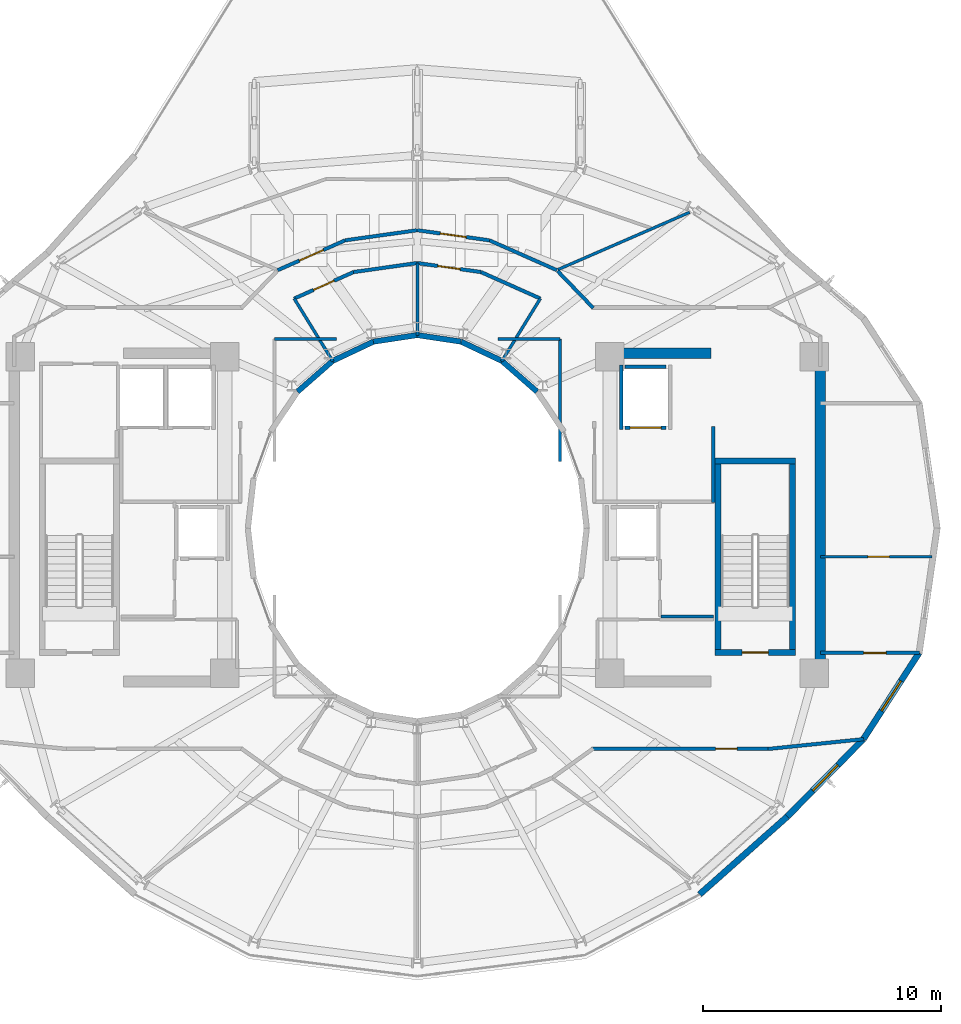
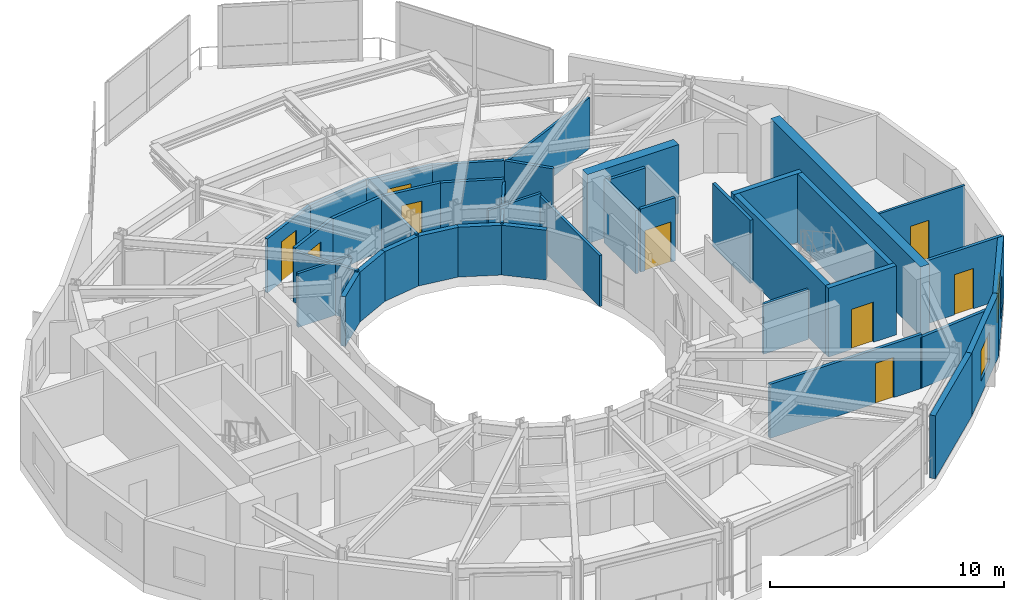
# One storey, part 20 of 25: 40 walls, 9 doors, 2 windows, 11 openings.
"""IFC4 building model written with IfcOpenShell, lengths in metres."""

import ifcopenshell
import ifcopenshell.guid

model = None  # the IFC model being written
_history = None  # IfcOwnerHistory: only IFC2X3 demands one
_inside = {}  # id of a spatial element -> (the spatial element, [elements in it])
_under = {}  # id of a project, library or spatial element -> (it, [spatial elements below it])
_declared = {}  # id of a project -> (the project, [libraries it declares])
_typed = {}  # id of a type object -> (the type object, [elements of that type])
_made_of = {}  # id of a material, layer set ... -> (it, [elements and type objects made of it])


def new_model(schema):
    """Start an empty IFC model of exactly this schema.

    Asked for "IFC4X3", IfcOpenShell would pick the latest addendum, in which some entities
    have other attributes; the version numbers below select the first issue.
    IFC2X3 requires an IfcOwnerHistory on every rooted entity: one is made here for all.
    """
    global model, _history
    if schema == "IFC4X3":
        model = ifcopenshell.file(schema_version=(4, 3, 0, 0))
    else:
        model = ifcopenshell.file(schema=schema)
    _inside.clear()
    _under.clear()
    _declared.clear()
    _typed.clear()
    _made_of.clear()
    _history = None
    if model.schema == "IFC2X3":
        org = make("IfcOrganization", Name="unknown")
        user = make(
            "IfcPersonAndOrganization",
            ThePerson=make("IfcPerson", FamilyName="unknown"),
            TheOrganization=org,
        )
        app = make(
            "IfcApplication",
            ApplicationDeveloper=org,
            Version="unknown",
            ApplicationFullName="unknown",
            ApplicationIdentifier="unknown",
        )
        _history = make(
            "IfcOwnerHistory",
            OwningUser=user,
            OwningApplication=app,
            ChangeAction="ADDED",
            CreationDate=0,
        )
    return model


def make(cls, **values):
    """One entity of the class cls with the attributes given. An attribute that is None is left unset."""
    return model.create_entity(
        cls, **{name: value for name, value in values.items() if value is not None}
    )


def rooted(cls, **values):
    """An entity with a GlobalId (a new one), such as an element, a storey or a relation."""
    return make(cls, GlobalId=ifcopenshell.guid.new(), OwnerHistory=_history, **values)


def si_unit(unit_type, name, prefix=None):
    """IfcSIUnit, for example si_unit("LENGTHUNIT", "METRE", prefix="MILLI")."""
    return make("IfcSIUnit", UnitType=unit_type, Prefix=prefix, Name=name)


def assignment(units):
    """IfcUnitAssignment: the units of a project."""
    return None if units is None else make("IfcUnitAssignment", Units=units)


def point(xyz):
    """IfcCartesianPoint."""
    return None if xyz is None else make("IfcCartesianPoint", Coordinates=xyz)


def direction(xyz):
    """IfcDirection."""
    return None if xyz is None else make("IfcDirection", DirectionRatios=xyz)


def frame(location, z_axis=None, x_axis=None):
    """IfcAxis2Placement3D, a coordinate frame: its origin and axes. An axis left out is left unset."""
    return make(
        "IfcAxis2Placement3D",
        Location=point(location),
        Axis=direction(z_axis),
        RefDirection=direction(x_axis),
    )


def frame_2d(location, x_axis=None):
    """IfcAxis2Placement2D, a coordinate frame in the plane: its origin and x axis."""
    return make(
        "IfcAxis2Placement2D", Location=point(location), RefDirection=direction(x_axis)
    )


def origin():
    """The frame at (0, 0, 0) with its axes left unset."""
    return frame((0.0, 0.0, 0.0))


def place(relative_to, where):
    """IfcLocalPlacement: puts the frame where relative to a parent placement (None: the world)."""
    return make(
        "IfcLocalPlacement", PlacementRelTo=relative_to, RelativePlacement=where
    )


def context(
    kind, dimensions, precision=None, world=None, true_north=None, identifier=None
):
    """IfcGeometricRepresentationContext, for example the 3D "Model" context."""
    return make(
        "IfcGeometricRepresentationContext",
        ContextIdentifier=identifier,
        ContextType=kind,
        CoordinateSpaceDimension=dimensions,
        Precision=precision,
        WorldCoordinateSystem=world,
        TrueNorth=true_north,
    )


def subcontext(parent, identifier, kind, view, scale=None):
    """IfcGeometricRepresentationSubContext, for example "Body" below "Model"."""
    return make(
        "IfcGeometricRepresentationSubContext",
        ContextIdentifier=identifier,
        ContextType=kind,
        ParentContext=parent,
        TargetScale=scale,
        TargetView=view,
    )


def project(units=None, contexts=None):
    """IfcProject with its units and contexts."""
    return rooted(
        "IfcProject",
        Name="project",
        RepresentationContexts=contexts,
        UnitsInContext=assignment(units),
    )


def spatial(cls, under=None, at=None, **own):
    """A site, building, storey or space (cls), placed at a placement, below another one or the project."""
    s = rooted(cls, ObjectPlacement=at, **own)
    if under is not None:
        _under.setdefault(under.id(), (under, []))[1].append(s)
    return s


def profile(cls, at=None, kind="AREA", **sizes):
    """A parametric profile (cls). Its sizes go by their IFC names, for example OverallWidth=200.0."""
    return make(cls, ProfileType=kind, Position=at, **sizes)


def rectangle(**sizes):
    """IfcRectangleProfileDef."""
    return profile("IfcRectangleProfileDef", **sizes)


def extrude(swept, where, along, depth):
    """IfcExtrudedAreaSolid: the profile swept, set in the frame where, extruded along a direction by depth."""
    return make(
        "IfcExtrudedAreaSolid",
        SweptArea=swept,
        Position=where,
        ExtrudedDirection=direction(along),
        Depth=depth,
    )


def shape(context_of_items, identifier, shape_type, items):
    """IfcShapeRepresentation: the items that make up one representation, for example the "Body"."""
    return make(
        "IfcShapeRepresentation",
        ContextOfItems=context_of_items,
        RepresentationIdentifier=identifier,
        RepresentationType=shape_type,
        Items=items,
    )


def material(Name=None, Category=None):
    """IfcMaterial."""
    return make("IfcMaterial", Name=Name, Category=Category)


def layer(
    of_material, thickness, ventilated=None, Name=None, Category=None, Priority=None
):
    """IfcMaterialLayer: one layer of a wall or slab, of a material (None: an air gap)."""
    return make(
        "IfcMaterialLayer",
        Material=of_material,
        LayerThickness=thickness,
        IsVentilated=ventilated,
        Name=Name,
        Category=Category,
        Priority=Priority,
    )


def layer_set(layers, Name=None):
    """IfcMaterialLayerSet."""
    return make("IfcMaterialLayerSet", MaterialLayers=layers, LayerSetName=Name)


def made_of(thing, what):
    """Note that an element or type object is made of a material, layer set ...; save() writes the relation."""
    if what is not None:
        _made_of.setdefault(what.id(), (what, []))[1].append(thing)
    return thing


def type_object(cls, material=None, **own):
    """A type object (cls), such as IfcWallType, which elements share."""
    return made_of(rooted(cls, **own), material)


def element(
    cls,
    number,
    at=None,
    inside=None,
    cuts=None,
    type_object=None,
    material=None,
    context=None,
    identifier="Body",
    shape_type=None,
    held_by="IfcProductDefinitionShape",
    body=None,
    shapes=None,
    **own,
):
    """One element of the class cls, such as IfcWall. Its Tag is "e" and its number.

    at: its placement. inside: the storey or other place that contains it. cuts: it is an
    opening in that element (IfcRelVoidsElement). A single representation is given by context,
    identifier, shape_type and body (its items); several are given by shapes. held_by: the class
    of the entity that holds the representations. save() writes the other relations.
    """
    e = rooted(cls, Tag="e%d" % number, ObjectPlacement=at, **own)
    if body is not None:
        shapes = [shape(context, identifier, shape_type, body)]
    if shapes is not None:
        e.Representation = make(held_by, Representations=shapes)
    if inside is not None:
        _inside.setdefault(inside.id(), (inside, []))[1].append(e)
    if cuts is not None:
        rooted(
            "IfcRelVoidsElement", RelatingBuildingElement=cuts, RelatedOpeningElement=e
        )
    if type_object is not None:
        _typed.setdefault(type_object.id(), (type_object, []))[1].append(e)
    return made_of(e, material)


def fill(opening, filler):
    """IfcRelFillsElement: the door or window that sits in an opening."""
    return rooted(
        "IfcRelFillsElement",
        RelatingOpeningElement=opening,
        RelatedBuildingElement=filler,
    )


def aggregate(whole, parts):
    """IfcRelAggregates: a whole, such as a stair, and the parts it consists of."""
    return rooted("IfcRelAggregates", RelatingObject=whole, RelatedObjects=parts)


def save(model, path):
    """Write the relations noted so far, then the file.

    IfcRelAggregates (storeys below a building ...), IfcRelContainedInSpatialStructure (elements
    in a storey), IfcRelDefinesByType, IfcRelAssociatesMaterial and IfcRelDeclares: one each for
    every whole, place, type object, material and project.
    """
    for whole, parts in _under.values():
        aggregate(whole, parts)
    for where, things in _inside.values():
        rooted(
            "IfcRelContainedInSpatialStructure",
            RelatedElements=things,
            RelatingStructure=where,
        )
    for kind, things in _typed.values():
        rooted("IfcRelDefinesByType", RelatedObjects=things, RelatingType=kind)
    for what, things in _made_of.values():
        rooted("IfcRelAssociatesMaterial", RelatedObjects=things, RelatingMaterial=what)
    for by, libraries in _declared.values():
        rooted("IfcRelDeclares", RelatingContext=by, RelatedDefinitions=libraries)
    model.write(path)


model = new_model("IFC4")

# Units and contexts
model_context = context("Model", 3, precision=1e-05, world=origin(), true_north=direction((0.0, 1.0)))
body_context = subcontext(model_context, "Body", "Model", "MODEL_VIEW")
ifc_project = project(units=[si_unit("LENGTHUNIT", "METRE"), si_unit("AREAUNIT", "SQUARE_METRE"), si_unit("VOLUMEUNIT", "CUBIC_METRE"), si_unit("PLANEANGLEUNIT", "RADIAN"), si_unit("MASSUNIT", "GRAM", prefix="KILO")], contexts=[model_context])

# Site, building, storey
site_placement = place(None, origin())
site = spatial("IfcSite", under=ifc_project, at=site_placement, CompositionType="ELEMENT")
building_placement = place(site_placement, origin())
building = spatial("IfcBuilding", under=site, at=building_placement, Name="Solvane Sanctuary Tower", CompositionType="ELEMENT")
storey_placement = place(building_placement, frame((0.0, 0.0, 238.800048828125)))
storey = spatial("IfcBuildingStorey", under=building, at=storey_placement, Name="L73", CompositionType="ELEMENT", Elevation=238.800048828125)

# Walls
ifc_material_1 = material(Name="Concrete C50/60", Category="concrete")
ifc_layer_1 = layer(ifc_material_1, 0.449951171875, Name="Concrete C50/60")
ifc_layer_set_1 = layer_set([ifc_layer_1], Name="Concrete C50/60")
wall_type_1 = type_object("IfcWallType", Name="Wall W-CORE-450", PredefinedType="SHEAR", material=ifc_layer_set_1)
wall_1_placement = place(storey_placement, frame((48.949951171875, 17.050048828125, 0.0), z_axis=(0.0, 0.0, 1.0), x_axis=(0.0, 1.0, 0.0)))
element("IfcWall", 1, at=wall_1_placement, inside=storey, type_object=wall_type_1, Name="L73 Core Shear Wall EC-E", PredefinedType="SHEAR", context=body_context, shape_type="SweptSolid", body=[
    extrude(rectangle(XDim=12.800048828125, YDim=0.449951171875, at=frame_2d((6.39990234375, 0.0))), origin(), (0.0, 0.0, 1.0), 3.599853515625),
])
wall_2_placement = place(storey_placement, frame((39.85009765625, 30.35009765625, 0.0), z_axis=(0.0, 0.0, 1.0), x_axis=(1.0, 0.0, 0.0)))
element("IfcWall", 2, at=wall_2_placement, inside=storey, type_object=wall_type_1, Name="L73 Core Shear Wall EC-N", PredefinedType="SHEAR", context=body_context, shape_type="SweptSolid", body=[
    extrude(rectangle(XDim=4.5, YDim=0.449951171875, at=frame_2d((2.25, 0.0))), origin(), (0.0, 0.0, 1.0), 3.599853515625),
])
ifc_material_2 = material(Name="Acoustic Gypsum Partition Board")
ifc_layer_2 = layer(ifc_material_2, 0.14990234375, Name="Acoustic Gypsum Partition Board")
ifc_layer_set_2 = layer_set([ifc_layer_2], Name="Acoustic Gypsum Partition Board")
wall_type_2 = type_object("IfcWallType", Name="Wall W-CORR-150", PredefinedType="PARTITIONING", material=ifc_layer_set_2)
wall_3_placement = place(storey_placement, frame((44.449951171875, 24.080078125, 0.0), z_axis=(0.0, 0.0, 1.0), x_axis=(0.0, 1.0, 0.0)))
element("IfcWall", 3, at=wall_3_placement, inside=storey, type_object=wall_type_2, Name="L73 East Firefighting Lobby East Wall", PredefinedType="PARTITIONING", context=body_context, shape_type="SweptSolid", body=[
    extrude(rectangle(XDim=3.199951171875, YDim=0.14990234375, at=frame_2d((1.60009765625, 0.0))), origin(), (0.0, 0.0, 1.0), 3.294921875),
])
wall_4_placement = place(storey_placement, frame((37.181396484375, 32.65234375, 0.0), z_axis=(0.0, 0.0, 1.0), x_axis=(-0.913120130558, 0.407690602257, 0.0)))
element("IfcWall", 4, at=wall_4_placement, inside=storey, type_object=wall_type_2, Name="L73 Light-Well Alcove Corridor Wall 1", PredefinedType="PARTITIONING", context=body_context, shape_type="SweptSolid", body=[
    extrude(rectangle(XDim=2.74267578125, YDim=0.14990234375, at=frame_2d((1.371337890625, 0.0))), origin(), (0.0, 0.0, 1.0), 2.822998046875),
])

# Wall, opening, door
wall_5_placement = place(storey_placement, frame((34.680419921875, 33.76953125, 0.0), z_axis=(0.0, 0.0, 1.0), x_axis=(-0.990132151456, 0.140136799779, 0.0)))
wall_5 = element("IfcWall", 5, at=wall_5_placement, inside=storey, type_object=wall_type_2, Name="L73 Light-Well Alcove Corridor Wall 1", PredefinedType="PARTITIONING", context=body_context, shape_type="SweptSolid", body=[
    extrude(rectangle(XDim=2.71435546875, YDim=0.14990234375, at=frame_2d((1.357177734375, 0.0))), origin(), (0.0, 0.0, 1.0), 2.822998046875),
])
opening_1_placement = place(wall_5_placement, frame((0.882080078125, 0.0, 0.0)))
opening_1 = element("IfcOpeningElement", 6, at=opening_1_placement, cuts=wall_5, Name="Opening D-L73-10", PredefinedType="OPENING", context=body_context, shape_type="SweptSolid", body=[
    extrude(rectangle(XDim=0.949951171875, YDim=2.10009765625, at=frame_2d((0.47509765625, 1.050048828125))), frame((0.0, 0.0849609375, 0.0), z_axis=(0.0, -1.0, 0.0), x_axis=(1.0, 0.0, 0.0)), (0.0, 0.0, 1.0), 0.169921875),
])
ifc_material_3 = material(Name="Engineered Tropical Hardwood", Category="wood")
door_type_1 = type_object("IfcDoorType", Name="Door D-ROOM-950", OperationType="NOTDEFINED", PredefinedType="DOOR", material=ifc_material_3)
door_1_placement = place(opening_1_placement, origin())
door_1 = element("IfcDoor", 7, at=door_1_placement, inside=storey, type_object=door_type_1, Name="L73 Light-Well Alcove Door 1", OperationType="SINGLE_SWING_RIGHT", OverallHeight=2.10009765625, OverallWidth=0.949951171875, PredefinedType="DOOR", context=body_context, shape_type="SweptSolid", body=[
    extrude(rectangle(XDim=0.949951171875, YDim=2.10009765625, at=frame_2d((0.47509765625, 1.050048828125))), frame((0.0, 0.02490234375, 0.0), z_axis=(0.0, -1.0, 0.0), x_axis=(1.0, 0.0, 0.0)), (0.0, 0.0, 1.0), 0.050048828125),
])
fill(opening_1, door_1)

# Wall
wall_6_placement = place(storey_placement, frame((32.007080078125, 34.14990234375, 0.0), z_axis=(0.0, 0.0, 1.0), x_axis=(-0.990132151456, -0.140136799779, 0.0)))
element("IfcWall", 8, at=wall_6_placement, inside=storey, type_object=wall_type_2, Name="L73 Light-Well Alcove Corridor Wall 2", PredefinedType="PARTITIONING", context=body_context, shape_type="SweptSolid", body=[
    extrude(rectangle(XDim=2.71435546875, YDim=0.14990234375, at=frame_2d((1.357177734375, 0.0))), origin(), (0.0, 0.0, 1.0), 2.822998046875),
])

# Wall, opening, door
wall_7_placement = place(storey_placement, frame((29.322998046875, 33.7705078125, 0.0), z_axis=(0.0, 0.0, 1.0), x_axis=(-0.913120130558, -0.407690602257, 0.0)))
wall_7 = element("IfcWall", 9, at=wall_7_placement, inside=storey, type_object=wall_type_2, Name="L73 Light-Well Alcove Corridor Wall 2", PredefinedType="PARTITIONING", context=body_context, shape_type="SweptSolid", body=[
    extrude(rectangle(XDim=2.74267578125, YDim=0.14990234375, at=frame_2d((1.371337890625, 0.0))), origin(), (0.0, 0.0, 1.0), 2.822998046875),
])
opening_2_placement = place(wall_7_placement, frame((0.896240234375, 0.0, 0.0)))
opening_2 = element("IfcOpeningElement", 10, at=opening_2_placement, cuts=wall_7, Name="Opening D-L73-11", PredefinedType="OPENING", context=body_context, shape_type="SweptSolid", body=[
    extrude(rectangle(XDim=0.949951171875, YDim=2.10009765625, at=frame_2d((0.47509765625, 1.050048828125))), frame((0.0, 0.0849609375, 0.0), z_axis=(0.0, -1.0, 0.0), x_axis=(1.0, 0.0, 0.0)), (0.0, 0.0, 1.0), 0.169921875),
])
door_2_placement = place(opening_2_placement, origin())
door_2 = element("IfcDoor", 11, at=door_2_placement, inside=storey, type_object=door_type_1, Name="L73 Light-Well Alcove Door 2", OperationType="SINGLE_SWING_LEFT", OverallHeight=2.10009765625, OverallWidth=0.949951171875, PredefinedType="DOOR", context=body_context, shape_type="SweptSolid", body=[
    extrude(rectangle(XDim=0.949951171875, YDim=2.10009765625, at=frame_2d((0.47509765625, 1.050048828125))), frame((0.0, 0.02490234375, 0.0), z_axis=(0.0, -1.0, 0.0), x_axis=(1.0, 0.0, 0.0)), (0.0, 0.0, 1.0), 0.050048828125),
])
fill(opening_2, door_2)

wall_8_placement = place(storey_placement, frame((48.949951171875, 17.754638671875, 0.0), z_axis=(0.0, 0.0, 1.0), x_axis=(1.0, 0.0, 0.0)))
wall_8 = element("IfcWall", 12, at=wall_8_placement, inside=storey, type_object=wall_type_2, Name="L73 East Shoulder South Wall", PredefinedType="PARTITIONING", context=body_context, shape_type="SweptSolid", body=[
    extrude(rectangle(XDim=4.174560546875, YDim=0.14990234375, at=frame_2d((2.08740234375, 0.0))), origin(), (0.0, 0.0, 1.0), 3.294921875),
])
opening_3_placement = place(wall_8_placement, frame((1.817138671875, 0.0, 0.0)))
opening_3 = element("IfcOpeningElement", 13, at=opening_3_placement, cuts=wall_8, Name="Opening D-L73-14", PredefinedType="OPENING", context=body_context, shape_type="SweptSolid", body=[
    extrude(rectangle(XDim=0.949951171875, YDim=2.10009765625, at=frame_2d((0.47509765625, 1.050048828125))), frame((0.0, 0.0849609375, 0.0), z_axis=(0.0, -1.0, 0.0), x_axis=(1.0, 0.0, 0.0)), (0.0, 0.0, 1.0), 0.169921875),
])
door_3_placement = place(opening_3_placement, origin())
door_3 = element("IfcDoor", 14, at=door_3_placement, inside=storey, type_object=door_type_1, Name="L73 East Shoulder South Door", OperationType="SINGLE_SWING_RIGHT", OverallHeight=2.10009765625, OverallWidth=0.949951171875, PredefinedType="DOOR", context=body_context, shape_type="SweptSolid", body=[
    extrude(rectangle(XDim=0.949951171875, YDim=2.10009765625, at=frame_2d((0.47509765625, 1.050048828125))), frame((0.0, 0.02490234375, 0.0), z_axis=(0.0, -1.0, 0.0), x_axis=(1.0, 0.0, 0.0)), (0.0, 0.0, 1.0), 0.050048828125),
])
fill(opening_3, door_3)

# Wall
wall_9_placement = place(storey_placement, frame((37.9033203125, 33.811767578125, 0.0), z_axis=(0.0, 0.0, 1.0), x_axis=(0.694032962553, -0.719943224768, 0.0)))
element("IfcWall", 15, at=wall_9_placement, inside=storey, type_object=wall_type_2, Name="L73 NE Corner Throat Wall", PredefinedType="PARTITIONING", context=body_context, shape_type="SweptSolid", body=[
    extrude(rectangle(XDim=2.15771484375, YDim=0.14990234375, at=frame_2d((1.078857421875, 0.0))), origin(), (0.0, 0.0, 1.0), 2.81591796875),
])

# Wall, opening, door
wall_10_placement = place(storey_placement, frame((39.330078125, 13.719970703125, 0.0), z_axis=(0.0, 0.0, 1.0), x_axis=(1.0, 0.0, 0.0)))
wall_10 = element("IfcWall", 16, at=wall_10_placement, inside=storey, type_object=wall_type_2, Name="L73 SE Corner Corridor Wall", PredefinedType="PARTITIONING", context=body_context, shape_type="SweptSolid", body=[
    extrude(rectangle(XDim=7.52001953125, YDim=0.14990234375, at=frame_2d((3.760009765625, 0.0))), origin(), (0.0, 0.0, 1.0), 2.81591796875),
])
opening_4_placement = place(wall_10_placement, frame((5.219970703125, 0.0, 0.0)))
opening_4 = element("IfcOpeningElement", 17, at=opening_4_placement, cuts=wall_10, Name="Opening D-L73-23", PredefinedType="OPENING", context=body_context, shape_type="SweptSolid", body=[
    extrude(rectangle(XDim=0.89990234375, YDim=2.10009765625, at=frame_2d((0.449951171875, 1.050048828125))), frame((0.0, 0.0849609375, 0.0), z_axis=(0.0, -1.0, 0.0), x_axis=(1.0, 0.0, 0.0)), (0.0, 0.0, 1.0), 0.169921875),
])
door_type_2 = type_object("IfcDoorType", Name="Door D-WET-900", OperationType="NOTDEFINED", PredefinedType="DOOR", material=ifc_material_3)
door_4_placement = place(opening_4_placement, origin())
door_4 = element("IfcDoor", 18, at=door_4_placement, inside=storey, type_object=door_type_2, Name="L73 SE Corner Salon Door", OperationType="SINGLE_SWING_LEFT", OverallHeight=2.10009765625, OverallWidth=0.89990234375, PredefinedType="DOOR", context=body_context, shape_type="SweptSolid", body=[
    extrude(rectangle(XDim=0.89990234375, YDim=2.10009765625, at=frame_2d((0.449951171875, 1.050048828125))), frame((0.0, 0.02490234375, 0.0), z_axis=(0.0, -1.0, 0.0), x_axis=(1.0, 0.0, 0.0)), (0.0, 0.0, 1.0), 0.050048828125),
])
fill(opening_4, door_4)

# Walls
wall_11_placement = place(storey_placement, frame((46.750244140625, 13.71484375, 0.0), z_axis=(0.0, 0.0, 1.0), x_axis=(0.994734711466, 0.102483431859, 0.0)))
element("IfcWall", 19, at=wall_11_placement, inside=storey, type_object=wall_type_2, Name="L73 SE Corner Wing Wall", PredefinedType="PARTITIONING", context=body_context, shape_type="SweptSolid", body=[
    extrude(rectangle(XDim=4.04736328125, YDim=0.14990234375, at=frame_2d((2.023681640625, 0.0))), origin(), (0.0, 0.0, 1.0), 2.659912109375),
])
wall_12_placement = place(storey_placement, frame((37.8720703125, 33.846923828125, 0.0), z_axis=(0.0, 0.0, 1.0), x_axis=(-0.914384748819, 0.404846305563, 0.0)))
element("IfcWall", 20, at=wall_12_placement, inside=storey, type_object=wall_type_2, Name="L73 Sky Promenade Corridor Wall N1", PredefinedType="PARTITIONING", context=body_context, shape_type="SweptSolid", body=[
    extrude(rectangle(XDim=3.103759765625, YDim=0.14990234375, at=frame_2d((1.5517578125, 0.0))), origin(), (0.0, 0.0, 1.0), 2.822998046875),
])

# Wall, opening, door
wall_13_placement = place(storey_placement, frame((35.037841796875, 35.1025390625, 0.0), z_axis=(0.0, 0.0, 1.0), x_axis=(-0.990295701983, 0.138976338396, 0.0)))
wall_13 = element("IfcWall", 21, at=wall_13_placement, inside=storey, type_object=wall_type_2, Name="L73 Sky Promenade Corridor Wall N1", PredefinedType="PARTITIONING", context=body_context, shape_type="SweptSolid", body=[
    extrude(rectangle(XDim=3.075927734375, YDim=0.14990234375, at=frame_2d((1.5380859375, 0.0))), origin(), (0.0, 0.0, 1.0), 2.822998046875),
])
opening_5_placement = place(wall_13_placement, frame((0.988037109375, 0.0, 0.0)))
opening_5 = element("IfcOpeningElement", 22, at=opening_5_placement, cuts=wall_13, Name="Opening D-L73-24", PredefinedType="OPENING", context=body_context, shape_type="SweptSolid", body=[
    extrude(rectangle(XDim=1.10009765625, YDim=2.10009765625, at=frame_2d((0.550048828125, 1.050048828125))), frame((0.0, 0.0849609375, 0.0), z_axis=(0.0, -1.0, 0.0), x_axis=(1.0, 0.0, 0.0)), (0.0, 0.0, 1.0), 0.169921875),
])
ifc_material_4 = material(Name="Architectural Stainless Steel 316", Category="steel")
door_type_3 = type_object("IfcDoorType", Name="Door D-FFL", OperationType="NOTDEFINED", PredefinedType="DOOR", material=ifc_material_4)
door_5_placement = place(opening_5_placement, origin())
door_5 = element("IfcDoor", 23, at=door_5_placement, inside=storey, type_object=door_type_3, Name="L73 Sky Hall Entrance Door N1", OperationType="SINGLE_SWING_RIGHT", OverallHeight=2.10009765625, OverallWidth=1.10009765625, PredefinedType="DOOR", context=body_context, shape_type="SweptSolid", body=[
    extrude(rectangle(XDim=1.10009765625, YDim=2.10009765625, at=frame_2d((0.550048828125, 1.050048828125))), frame((0.0, 0.02490234375, 0.0), z_axis=(0.0, -1.0, 0.0), x_axis=(1.0, 0.0, 0.0)), (0.0, 0.0, 1.0), 0.050048828125),
])
fill(opening_5, door_5)

# Wall
wall_14_placement = place(storey_placement, frame((32.00830078125, 35.530029296875, 0.0), z_axis=(0.0, 0.0, 1.0), x_axis=(-0.990295701983, -0.138976338396, 0.0)))
element("IfcWall", 24, at=wall_14_placement, inside=storey, type_object=wall_type_2, Name="L73 Sky Promenade Corridor Wall N2", PredefinedType="PARTITIONING", context=body_context, shape_type="SweptSolid", body=[
    extrude(rectangle(XDim=3.075927734375, YDim=0.14990234375, at=frame_2d((1.5380859375, 0.0))), origin(), (0.0, 0.0, 1.0), 2.822998046875),
])

# Wall, opening, door
wall_15_placement = place(storey_placement, frame((28.966064453125, 35.103515625, 0.0), z_axis=(0.0, 0.0, 1.0), x_axis=(-0.914384748819, -0.404846305563, 0.0)))
wall_15 = element("IfcWall", 25, at=wall_15_placement, inside=storey, type_object=wall_type_2, Name="L73 Sky Promenade Corridor Wall N2", PredefinedType="PARTITIONING", context=body_context, shape_type="SweptSolid", body=[
    extrude(rectangle(XDim=3.103759765625, YDim=0.14990234375, at=frame_2d((1.5517578125, 0.0))), origin(), (0.0, 0.0, 1.0), 2.822998046875),
])
opening_6_placement = place(wall_15_placement, frame((1.001953125, 0.0, 0.0)))
opening_6 = element("IfcOpeningElement", 26, at=opening_6_placement, cuts=wall_15, Name="Opening D-L73-25", PredefinedType="OPENING", context=body_context, shape_type="SweptSolid", body=[
    extrude(rectangle(XDim=1.10009765625, YDim=2.10009765625, at=frame_2d((0.550048828125, 1.050048828125))), frame((0.0, 0.0849609375, 0.0), z_axis=(0.0, -1.0, 0.0), x_axis=(1.0, 0.0, 0.0)), (0.0, 0.0, 1.0), 0.169921875),
])
door_6_placement = place(opening_6_placement, origin())
door_6 = element("IfcDoor", 27, at=door_6_placement, inside=storey, type_object=door_type_3, Name="L73 Sky Hall Entrance Door N2", OperationType="SINGLE_SWING_LEFT", OverallHeight=2.10009765625, OverallWidth=1.10009765625, PredefinedType="DOOR", context=body_context, shape_type="SweptSolid", body=[
    extrude(rectangle(XDim=1.10009765625, YDim=2.10009765625, at=frame_2d((0.550048828125, 1.050048828125))), frame((0.0, 0.02490234375, 0.0), z_axis=(0.0, -1.0, 0.0), x_axis=(1.0, 0.0, 0.0)), (0.0, 0.0, 1.0), 0.050048828125),
])
fill(opening_6, door_6)

# Wall
ifc_material_5 = material(Name="Precast concrete C40/50", Category="concrete")
ifc_layer_3 = layer(ifc_material_5, 0.260009765625, Name="Precast concrete C40/50")
ifc_layer_set_3 = layer_set([ifc_layer_3], Name="Precast concrete C40/50")
wall_type_3 = type_object("IfcWallType", Name="Wall W-EXT-250", PredefinedType="STANDARD", material=ifc_layer_set_3)
wall_16_placement = place(storey_placement, frame((43.8701171875, 7.600830078125, 0.0), z_axis=(0.0, 0.0, 1.0), x_axis=(0.748165854006, 0.663511759428, 0.0)))
element("IfcWall", 28, at=wall_16_placement, inside=storey, type_object=wall_type_3, Name="L73 Ceramic-Printed Facade Wall 20", PredefinedType="STANDARD", context=body_context, shape_type="SweptSolid", body=[
    extrude(rectangle(XDim=4.9287109375, YDim=0.260009765625, at=frame_2d((2.46435546875, 0.0))), origin(), (0.0, 0.0, 1.0), 3.2900390625),
])

# Wall, opening, window
wall_17_placement = place(storey_placement, frame((47.5576171875, 10.87109375, 0.0), z_axis=(0.0, 0.0, 1.0), x_axis=(0.700642973333, 0.713512034881, 0.0)))
wall_17 = element("IfcWall", 29, at=wall_17_placement, inside=storey, type_object=wall_type_3, Name="L73 Ceramic-Printed Facade Wall 21", PredefinedType="STANDARD", context=body_context, shape_type="SweptSolid", body=[
    extrude(rectangle(XDim=4.572021484375, YDim=0.260009765625, at=frame_2d((2.2861328125, 0.0))), origin(), (0.0, 0.0, 1.0), 3.2900390625),
])
opening_7_placement = place(wall_17_placement, frame((1.535888671875, 0.0, 0.75)))
opening_7 = element("IfcOpeningElement", 30, at=opening_7_placement, cuts=wall_17, Name="Opening WN-OPER-1500", PredefinedType="OPENING", context=body_context, shape_type="SweptSolid", body=[
    extrude(rectangle(XDim=1.5, YDim=1.60009765625, at=frame_2d((0.75, 0.800048828125))), frame((0.0, 0.139892578125, 0.0), z_axis=(0.0, -1.0, 0.0), x_axis=(1.0, 0.0, 0.0)), (0.0, 0.0, 1.0), 0.280029296875),
])
ifc_material_6 = material(Name="Dark Ceramic-Fritted Low-E Glass", Category="glass")
window_type = type_object("IfcWindowType", Name="Window WN-OPER-1500", PartitioningType="SINGLE_PANEL", PredefinedType="WINDOW", material=ifc_material_6)
window_1_placement = place(opening_7_placement, origin())
window_1 = element("IfcWindow", 31, at=window_1_placement, inside=storey, type_object=window_type, Name="L73 Operable Facade Window 21", OverallHeight=1.60009765625, OverallWidth=1.5, PartitioningType="SINGLE_PANEL", PredefinedType="WINDOW", context=body_context, shape_type="SweptSolid", body=[
    extrude(rectangle(XDim=1.5, YDim=1.60009765625, at=frame_2d((0.75, 0.800048828125))), frame((0.0, 0.030029296875, 0.0), z_axis=(0.0, -1.0, 0.0), x_axis=(1.0, 0.0, 0.0)), (0.0, 0.0, 1.0), 0.06005859375),
])
fill(opening_7, window_1)

wall_18_placement = place(storey_placement, frame((50.760986328125, 14.13330078125, 0.0), z_axis=(0.0, 0.0, 1.0), x_axis=(0.542641766008, 0.839964233634, 0.0)))
wall_18 = element("IfcWall", 32, at=wall_18_placement, inside=storey, type_object=wall_type_3, Name="L73 Ceramic-Printed Facade Wall 22", PredefinedType="STANDARD", context=body_context, shape_type="SweptSolid", body=[
    extrude(rectangle(XDim=4.319091796875, YDim=0.260009765625, at=frame_2d((2.15966796875, 0.0))), origin(), (0.0, 0.0, 1.0), 3.2900390625),
])
opening_8_placement = place(wall_18_placement, frame((1.40966796875, 0.0, 0.75)))
opening_8 = element("IfcOpeningElement", 33, at=opening_8_placement, cuts=wall_18, Name="Opening WN-OPER-1500", PredefinedType="OPENING", context=body_context, shape_type="SweptSolid", body=[
    extrude(rectangle(XDim=1.5, YDim=1.60009765625, at=frame_2d((0.75, 0.800048828125))), frame((0.0, 0.139892578125, 0.0), z_axis=(0.0, -1.0, 0.0), x_axis=(1.0, 0.0, 0.0)), (0.0, 0.0, 1.0), 0.280029296875),
])
window_2_placement = place(opening_8_placement, origin())
window_2 = element("IfcWindow", 34, at=window_2_placement, inside=storey, type_object=window_type, Name="L73 Operable Facade Window 22", OverallHeight=1.60009765625, OverallWidth=1.5, PartitioningType="SINGLE_PANEL", PredefinedType="WINDOW", context=body_context, shape_type="SweptSolid", body=[
    extrude(rectangle(XDim=1.5, YDim=1.60009765625, at=frame_2d((0.75, 0.800048828125))), frame((0.0, 0.030029296875, 0.0), z_axis=(0.0, -1.0, 0.0), x_axis=(1.0, 0.0, 0.0)), (0.0, 0.0, 1.0), 0.06005859375),
])
fill(opening_8, window_2)

# Walls
ifc_layer_4 = layer(ifc_material_5, 0.22998046875, Name="Precast concrete C40/50")
ifc_layer_set_4 = layer_set([ifc_layer_4], Name="Precast concrete C40/50")
wall_type_4 = type_object("IfcWallType", Name="Wall W-EXT-SP220", PredefinedType="STANDARD", material=ifc_layer_set_4)
wall_19_placement = place(storey_placement, frame((37.03466796875, 28.74169921875, 0.0), z_axis=(0.0, 0.0, 1.0), x_axis=(-0.752576694707, 0.658504607869, 0.0)))
element("IfcWall", 35, at=wall_19_placement, inside=storey, type_object=wall_type_4, Name="L73 Central Light-Well Wall 03", PredefinedType="STANDARD", context=body_context, shape_type="SweptSolid", body=[
    extrude(rectangle(XDim=1.95947265625, YDim=0.22998046875, at=frame_2d((0.979736328125, 0.0))), origin(), (0.0, 0.0, 1.0), 2.599853515625),
])
wall_20_placement = place(storey_placement, frame((35.56005859375, 30.031982421875, 0.0), z_axis=(0.0, 0.0, 1.0), x_axis=(-0.904179699603, 0.427152280606, 0.0)))
element("IfcWall", 36, at=wall_20_placement, inside=storey, type_object=wall_type_4, Name="L73 Central Light-Well Wall 04", PredefinedType="STANDARD", context=body_context, shape_type="SweptSolid", body=[
    extrude(rectangle(XDim=1.899169921875, YDim=0.22998046875, at=frame_2d((0.94970703125, 0.0))), origin(), (0.0, 0.0, 1.0), 2.599853515625),
])
for number, where, z_axis, x_axis, name in (
    (37, (33.8427734375, 30.84326171875, 0.0), (0.0, 0.0, 1.0), (-0.988901730308, 0.148571086668, 0.0), "L73 Central Light-Well Wall 05"),
    (38, (32.0, 31.1201171875, 0.0), (0.0, 0.0, 1.0), (-0.988901730308, -0.148571086668, 0.0), "L73 Central Light-Well Wall 06"),
):
    element("IfcWall", number, at=place(storey_placement, frame(where, z_axis=z_axis, x_axis=x_axis)), inside=storey, type_object=wall_type_4, Name=name, PredefinedType="STANDARD", context=body_context, shape_type="SweptSolid", body=[
        extrude(rectangle(XDim=1.863525390625, YDim=0.22998046875, at=frame_2d((0.931640625, 0.0))), origin(), (0.0, 0.0, 1.0), 2.599853515625),
    ])
wall_21_placement = place(storey_placement, frame((30.1572265625, 30.84326171875, 0.0), z_axis=(0.0, 0.0, 1.0), x_axis=(-0.904179699603, -0.427152280606, 0.0)))
element("IfcWall", 39, at=wall_21_placement, inside=storey, type_object=wall_type_4, Name="L73 Central Light-Well Wall 07", PredefinedType="STANDARD", context=body_context, shape_type="SweptSolid", body=[
    extrude(rectangle(XDim=1.899169921875, YDim=0.22998046875, at=frame_2d((0.94970703125, 0.0))), origin(), (0.0, 0.0, 1.0), 2.599853515625),
])
wall_22_placement = place(storey_placement, frame((28.43994140625, 30.031982421875, 0.0), z_axis=(0.0, 0.0, 1.0), x_axis=(-0.752576694707, -0.658504607869, 0.0)))
element("IfcWall", 40, at=wall_22_placement, inside=storey, type_object=wall_type_4, Name="L73 Central Light-Well Wall 08", PredefinedType="STANDARD", context=body_context, shape_type="SweptSolid", body=[
    extrude(rectangle(XDim=1.95947265625, YDim=0.22998046875, at=frame_2d((0.979736328125, 0.0))), origin(), (0.0, 0.0, 1.0), 2.599853515625),
])

# Wall, opening, door
ifc_layer_5 = layer(ifc_material_2, 0.1201171875, Name="Acoustic Gypsum Partition Board")
ifc_layer_set_5 = layer_set([ifc_layer_5], Name="Acoustic Gypsum Partition Board")
wall_type_5 = type_object("IfcWallType", Name="Wall W-MOV-100", PredefinedType="MOVABLE", material=ifc_layer_set_5)
wall_23_placement = place(storey_placement, frame((48.949951171875, 21.800048828125, 0.0), z_axis=(0.0, 0.0, 1.0), x_axis=(1.0, 0.0, 0.0)))
wall_23 = element("IfcWall", 41, at=wall_23_placement, inside=storey, type_object=wall_type_5, Name="L73 East Suite Partition", PredefinedType="MOVABLE", context=body_context, shape_type="SweptSolid", body=[
    extrude(rectangle(XDim=4.697265625, YDim=0.1201171875, at=frame_2d((2.3486328125, 0.0))), origin(), (0.0, 0.0, 1.0), 3.294921875),
])
opening_9_placement = place(wall_23_placement, frame((2.0, 0.0, 0.0)))
opening_9 = element("IfcOpeningElement", 42, at=opening_9_placement, cuts=wall_23, Name="Opening D-L73-15", PredefinedType="OPENING", context=body_context, shape_type="SweptSolid", body=[
    extrude(rectangle(XDim=0.89990234375, YDim=2.10009765625, at=frame_2d((0.449951171875, 1.050048828125))), frame((0.0, 0.070068359375, 0.0), z_axis=(0.0, -1.0, 0.0), x_axis=(1.0, 0.0, 0.0)), (0.0, 0.0, 1.0), 0.14013671875),
])
door_7_placement = place(opening_9_placement, origin())
door_7 = element("IfcDoor", 43, at=door_7_placement, inside=storey, type_object=door_type_2, Name="L73 East Suite Internal Door", OperationType="SINGLE_SWING_LEFT", OverallHeight=2.10009765625, OverallWidth=0.89990234375, PredefinedType="DOOR", context=body_context, shape_type="SweptSolid", body=[
    extrude(rectangle(XDim=0.89990234375, YDim=2.10009765625, at=frame_2d((0.449951171875, 1.050048828125))), frame((0.0, 0.02490234375, 0.0), z_axis=(0.0, -1.0, 0.0), x_axis=(1.0, 0.0, 0.0)), (0.0, 0.0, 1.0), 0.050048828125),
])
fill(opening_9, door_7)

# Walls
wall_24_placement = place(storey_placement, frame((37.915283203125, 33.873291015625, 0.0), z_axis=(0.0, 0.0, 1.0), x_axis=(0.916946661839, 0.399009798554, 0.0)))
element("IfcWall", 44, at=wall_24_placement, inside=storey, type_object=wall_type_5, Name="L73 Sky Hall Radial Partition 060", PredefinedType="MOVABLE", context=body_context, shape_type="SweptSolid", body=[
    extrude(rectangle(XDim=6.04150390625, YDim=0.1201171875, at=frame_2d((3.020751953125, 0.0))), origin(), (0.0, 0.0, 1.0), 2.659912109375),
])
ifc_layer_6 = layer(ifc_material_2, 0.125, Name="Acoustic Gypsum Partition Board")
ifc_layer_set_6 = layer_set([ifc_layer_6], Name="Acoustic Gypsum Partition Board")
wall_type_6 = type_object("IfcWallType", Name="Wall W-PART-125", PredefinedType="PARTITIONING", material=ifc_layer_set_6)
wall_25_placement = place(storey_placement, frame((42.239990234375, 19.280029296875, 0.0), z_axis=(0.0, 0.0, 1.0), x_axis=(1.0, 0.0, 0.0)))
element("IfcWall", 45, at=wall_25_placement, inside=storey, type_object=wall_type_6, Name="L73 Reclaimed Room Closer Wall PME-1", PredefinedType="PARTITIONING", context=body_context, shape_type="SweptSolid", body=[
    extrude(rectangle(XDim=2.2099609375, YDim=0.125, at=frame_2d((1.10498046875, 0.0))), origin(), (0.0, 0.0, 1.0), 2.619873046875),
])
wall_26_placement = place(storey_placement, frame((35.550048828125, 30.014892578125, 0.0), z_axis=(0.0, 0.0, 1.0), x_axis=(0.523992004803, 0.851723182086, 0.0)))
element("IfcWall", 46, at=wall_26_placement, inside=storey, type_object=wall_type_6, Name="L73 Light-Well Alcove Radial Wall 60", PredefinedType="PARTITIONING", context=body_context, shape_type="SweptSolid", body=[
    extrude(rectangle(XDim=3.10107421875, YDim=0.125, at=frame_2d((1.550537109375, 0.0))), origin(), (0.0, 0.0, 1.0), 2.671875),
])
wall_27_placement = place(storey_placement, frame((32.0, 31.10009765625, 0.0), z_axis=(0.0, 0.0, 1.0), x_axis=(0.0, 1.0, 0.0)))
element("IfcWall", 47, at=wall_27_placement, inside=storey, type_object=wall_type_6, Name="L73 Light-Well Alcove Radial Wall 90", PredefinedType="PARTITIONING", context=body_context, shape_type="SweptSolid", body=[
    extrude(rectangle(XDim=3.0498046875, YDim=0.125, at=frame_2d((1.52490234375, 0.0))), origin(), (0.0, 0.0, 1.0), 2.671875),
])
wall_28_placement = place(storey_placement, frame((28.449951171875, 30.014892578125, 0.0), z_axis=(0.0, 0.0, 1.0), x_axis=(-0.523992004803, 0.851723182086, 0.0)))
element("IfcWall", 48, at=wall_28_placement, inside=storey, type_object=wall_type_6, Name="L73 Light-Well Alcove Radial Wall 120", PredefinedType="PARTITIONING", context=body_context, shape_type="SweptSolid", body=[
    extrude(rectangle(XDim=3.10107421875, YDim=0.125, at=frame_2d((1.550537109375, 0.0))), origin(), (0.0, 0.0, 1.0), 2.671875),
])
wall_29_placement = place(storey_placement, frame((26.0, 30.9599609375, 0.0), z_axis=(0.0, 0.0, 1.0), x_axis=(1.0, 0.0, 0.0)))
element("IfcWall", 49, at=wall_29_placement, inside=storey, type_object=wall_type_6, Name="L73 Bridge Alcove Wall 2", PredefinedType="PARTITIONING", context=body_context, shape_type="SweptSolid", body=[
    extrude(rectangle(XDim=2.60009765625, YDim=0.125, at=frame_2d((1.300048828125, 0.0))), origin(), (0.0, 0.0, 1.0), 2.81591796875),
])
wall_30_placement = place(storey_placement, frame((38.0, 25.800048828125, 0.0), z_axis=(0.0, 0.0, 1.0), x_axis=(0.0, 1.0, 0.0)))
element("IfcWall", 50, at=wall_30_placement, inside=storey, type_object=wall_type_6, Name="L73 Bridge Alcove Wall 3", PredefinedType="PARTITIONING", context=body_context, shape_type="SweptSolid", body=[
    extrude(rectangle(XDim=5.159912109375, YDim=0.125, at=frame_2d((2.580078125, 0.0))), origin(), (0.0, 0.0, 1.0), 2.671875),
])
wall_31_placement = place(storey_placement, frame((35.39990234375, 30.9599609375, 0.0), z_axis=(0.0, 0.0, 1.0), x_axis=(1.0, 0.0, 0.0)))
element("IfcWall", 51, at=wall_31_placement, inside=storey, type_object=wall_type_6, Name="L73 Bridge Alcove Wall 4", PredefinedType="PARTITIONING", context=body_context, shape_type="SweptSolid", body=[
    extrude(rectangle(XDim=2.60009765625, YDim=0.125, at=frame_2d((1.300048828125, 0.0))), origin(), (0.0, 0.0, 1.0), 2.81591796875),
])

# Wall, opening, door
ifc_layer_7 = layer(ifc_material_1, 0.14990234375, Name="Concrete C50/60")
ifc_layer_set_7 = layer_set([ifc_layer_7], Name="Concrete C50/60")
wall_type_7 = type_object("IfcWallType", Name="Wall W-SHAFT-150", PredefinedType="SOLIDWALL", material=ifc_layer_set_7)
wall_32_placement = place(storey_placement, frame((40.739990234375, 27.219970703125, 0.0), z_axis=(0.0, 0.0, 1.0), x_axis=(1.0, 0.0, 0.0)))
wall_32 = element("IfcWall", 52, at=wall_32_placement, inside=storey, type_object=wall_type_7, Name="L73 FFL-2 Lift Shaft Wall F", PredefinedType="SOLIDWALL", context=body_context, shape_type="SweptSolid", body=[
    extrude(rectangle(XDim=1.719970703125, YDim=0.14990234375, at=frame_2d((0.85986328125, 0.0))), origin(), (0.0, 0.0, 1.0), 3.294921875),
])
opening_10_placement = place(wall_32_placement, frame((0.2099609375, 0.0, 0.0)))
opening_10 = element("IfcOpeningElement", 53, at=opening_10_placement, cuts=wall_32, Name="Opening LD-L73-05", PredefinedType="OPENING", context=body_context, shape_type="SweptSolid", body=[
    extrude(rectangle(XDim=1.300048828125, YDim=2.10009765625, at=frame_2d((0.64990234375, 1.050048828125))), frame((0.0, 0.0849609375, 0.0), z_axis=(0.0, -1.0, 0.0), x_axis=(1.0, 0.0, 0.0)), (0.0, 0.0, 1.0), 0.169921875),
])
door_type_4 = type_object("IfcDoorType", Name="Door LD-FFL-1300", OperationType="NOTDEFINED", PredefinedType="DOOR", material=ifc_material_4)
door_8_placement = place(opening_10_placement, origin())
door_8 = element("IfcDoor", 54, at=door_8_placement, inside=storey, type_object=door_type_4, Name="L73 FFL-2 Lift Landing Door", OperationType="DOUBLE_DOOR_SLIDING", OverallHeight=2.10009765625, OverallWidth=1.300048828125, PredefinedType="DOOR", context=body_context, shape_type="SweptSolid", body=[
    extrude(rectangle(XDim=1.300048828125, YDim=2.10009765625, at=frame_2d((0.64990234375, 1.050048828125))), frame((0.0, 0.02490234375, 0.0), z_axis=(0.0, -1.0, 0.0), x_axis=(1.0, 0.0, 0.0)), (0.0, 0.0, 1.0), 0.050048828125),
])
fill(opening_10, door_8)

# Walls
wall_33_placement = place(storey_placement, frame((40.739990234375, 29.780029296875, 0.0), z_axis=(0.0, 0.0, 1.0), x_axis=(1.0, 0.0, 0.0)))
element("IfcWall", 55, at=wall_33_placement, inside=storey, type_object=wall_type_7, Name="L73 FFL-2 Lift Shaft Wall B", PredefinedType="SOLIDWALL", context=body_context, shape_type="SweptSolid", body=[
    extrude(rectangle(XDim=1.719970703125, YDim=0.14990234375, at=frame_2d((0.85986328125, 0.0))), origin(), (0.0, 0.0, 1.0), 3.294921875),
])
wall_34_placement = place(storey_placement, frame((40.570068359375, 27.139892578125, 0.0), z_axis=(0.0, 0.0, 1.0), x_axis=(0.0, 1.0, 0.0)))
element("IfcWall", 56, at=wall_34_placement, inside=storey, type_object=wall_type_7, Name="L73 FFL-2 Lift Shaft Wall S1", PredefinedType="SOLIDWALL", context=body_context, shape_type="SweptSolid", body=[
    extrude(rectangle(XDim=2.72021484375, YDim=0.14990234375, at=frame_2d((1.360107421875, 0.0))), origin(), (0.0, 0.0, 1.0), 3.294921875),
])

# Wall, opening, door
ifc_layer_8 = layer(ifc_material_1, 0.25, Name="Concrete C50/60")
ifc_layer_set_8 = layer_set([ifc_layer_8], Name="Concrete C50/60")
wall_type_8 = type_object("IfcWallType", Name="Wall W-SHAFT-250", PredefinedType="SOLIDWALL", material=ifc_layer_set_8)
wall_35_placement = place(storey_placement, frame((44.52490234375, 17.77001953125, 0.0), z_axis=(0.0, 0.0, 1.0), x_axis=(1.0, 0.0, 0.0)))
wall_35 = element("IfcWall", 57, at=wall_35_placement, inside=storey, type_object=wall_type_8, Name="L73 ST-2 Load-Bearing Shaft Wall S", PredefinedType="SOLIDWALL", context=body_context, shape_type="SweptSolid", body=[
    extrude(rectangle(XDim=3.3701171875, YDim=0.25, at=frame_2d((1.68505859375, 0.0))), origin(), (0.0, 0.0, 1.0), 3.599853515625),
])
opening_11_placement = place(wall_35_placement, frame((1.135009765625, 0.0, 0.0)))
opening_11 = element("IfcOpeningElement", 58, at=opening_11_placement, cuts=wall_35, Name="Opening D-L73-02", PredefinedType="OPENING", context=body_context, shape_type="SweptSolid", body=[
    extrude(rectangle(XDim=1.10009765625, YDim=2.10009765625, at=frame_2d((0.550048828125, 1.050048828125))), frame((0.0, 0.135009765625, 0.0), z_axis=(0.0, -1.0, 0.0), x_axis=(1.0, 0.0, 0.0)), (0.0, 0.0, 1.0), 0.27001953125),
])
door_type_5 = type_object("IfcDoorType", Name="Door D-STAIR", OperationType="NOTDEFINED", PredefinedType="DOOR", material=ifc_material_4)
door_9_placement = place(opening_11_placement, origin())
door_9 = element("IfcDoor", 59, at=door_9_placement, inside=storey, type_object=door_type_5, Name="L73 ST-2 Exit Stair Fire Door", OperationType="SINGLE_SWING_RIGHT", OverallHeight=2.10009765625, OverallWidth=1.10009765625, PredefinedType="DOOR", context=body_context, shape_type="SweptSolid", body=[
    extrude(rectangle(XDim=1.10009765625, YDim=2.10009765625, at=frame_2d((0.550048828125, 1.050048828125))), frame((0.0, 0.02490234375, 0.0), z_axis=(0.0, -1.0, 0.0), x_axis=(1.0, 0.0, 0.0)), (0.0, 0.0, 1.0), 0.050048828125),
])
fill(opening_11, door_9)

# Walls
wall_36_placement = place(storey_placement, frame((44.52490234375, 25.830078125, 0.0), z_axis=(0.0, 0.0, 1.0), x_axis=(1.0, 0.0, 0.0)))
element("IfcWall", 60, at=wall_36_placement, inside=storey, type_object=wall_type_8, Name="L73 ST-2 Load-Bearing Shaft Wall N", PredefinedType="SOLIDWALL", context=body_context, shape_type="SweptSolid", body=[
    extrude(rectangle(XDim=3.3701171875, YDim=0.25, at=frame_2d((1.68505859375, 0.0))), origin(), (0.0, 0.0, 1.0), 3.599853515625),
])
for number, where, z_axis, x_axis, name in (
    (61, (44.64990234375, 17.89501953125, 0.0), (0.0, 0.0, 1.0), (0.0, 1.0, 0.0), "L73 ST-2 Load-Bearing Shaft Wall W"),
    (62, (47.77001953125, 17.89501953125, 0.0), (0.0, 0.0, 1.0), (0.0, 1.0, 0.0), "L73 ST-2 Load-Bearing Shaft Wall E"),
):
    element("IfcWall", number, at=place(storey_placement, frame(where, z_axis=z_axis, x_axis=x_axis)), inside=storey, type_object=wall_type_8, Name=name, PredefinedType="SOLIDWALL", context=body_context, shape_type="SweptSolid", body=[
        extrude(rectangle(XDim=7.81005859375, YDim=0.25, at=frame_2d((3.905029296875, 0.0))), origin(), (0.0, 0.0, 1.0), 3.599853515625),
    ])

save(model, "model.ifc")
